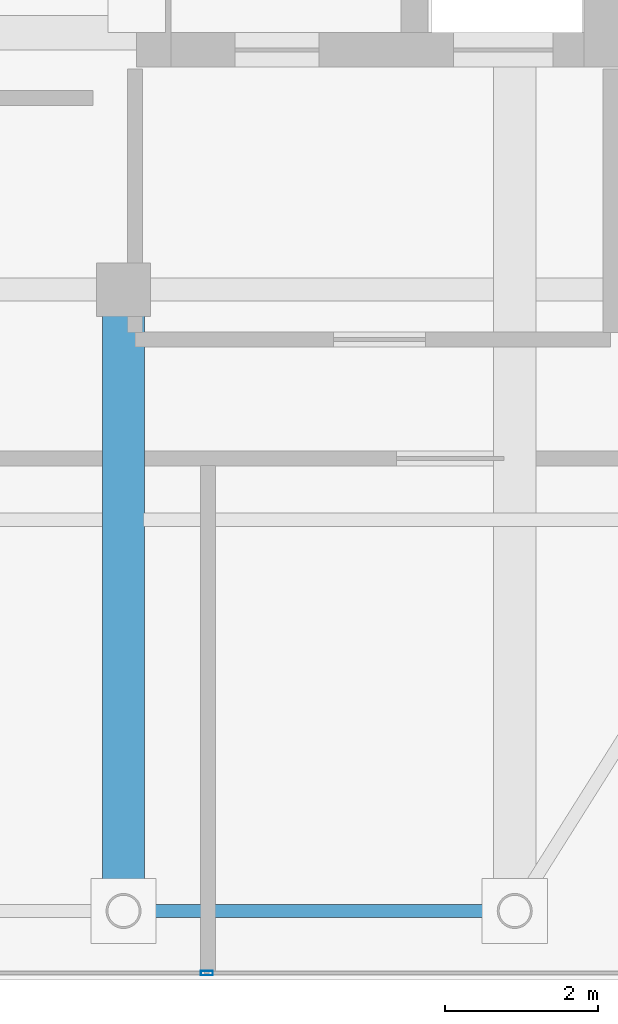
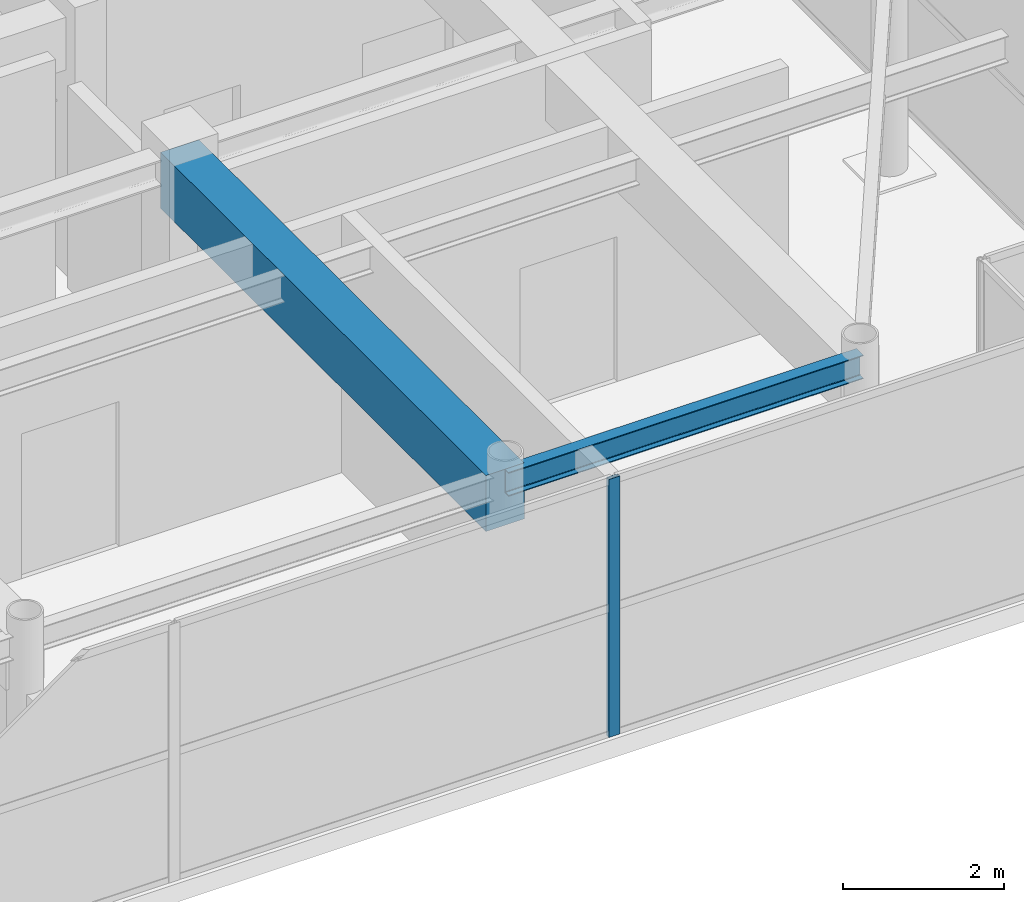
# One storey, part 9 of 32: 2 beams, 1 member, 1 element without a shape of its own.
"""IFC4 building model written with IfcOpenShell, lengths in metres."""

from ifc_helpers import new_model, si_unit, direction, frame, origin, origin_2d, place, context, subcontext, project, spatial, rectangle, hollow_rectangle, i_section, extrude, source, transform, mapped, material, layer, layer_set, material_profile, profile_set, type_object, element, aggregate, save


model = new_model("IFC4")

# Units and contexts
model_context = context("Model", 3, precision=1e-05, world=origin(), true_north=direction((0.0, 1.0)))
body_context = subcontext(model_context, "Body", "Model", "MODEL_VIEW")
ifc_project = project(units=[si_unit("LENGTHUNIT", "METRE"), si_unit("AREAUNIT", "SQUARE_METRE"), si_unit("VOLUMEUNIT", "CUBIC_METRE"), si_unit("PLANEANGLEUNIT", "RADIAN"), si_unit("MASSUNIT", "GRAM", prefix="KILO")], contexts=[model_context])

# Site, building, storey
site_placement = place(None, origin())
site = spatial("IfcSite", under=ifc_project, at=site_placement, CompositionType="ELEMENT")
building_placement = place(site_placement, origin())
building = spatial("IfcBuilding", under=site, at=building_placement, Name="Khoralis Quay Care Tower", CompositionType="ELEMENT")
storey_placement = place(building_placement, frame((0.0, 0.0, 293.699951171875)))
storey = spatial("IfcBuildingStorey", under=building, at=storey_placement, Name="L77", CompositionType="ELEMENT", Elevation=293.699951171875)

# Beams
ifc_material_1 = material(Name="Steel S355", Category="steel")
ifc_material_profile_1 = material_profile(ifc_material_1, i_section(OverallWidth=0.169921875, OverallDepth=0.360107421875, WebThickness=0.008056640625, FlangeThickness=0.0126953125, FilletRadius=0.01806640625, at=origin_2d()), Name="Steel S355")
ifc_profile_set_1 = profile_set([ifc_material_profile_1], Name="Steel S355")
beam_type_1 = type_object("IfcBeamType", Name="BM-IPE360", PredefinedType="SPANDREL", material=ifc_profile_set_1)
shared_shape_1 = source(origin(), body_context, "Body", "SweptSolid", [
    extrude(i_section(OverallWidth=0.169921875, OverallDepth=0.360107421875, WebThickness=0.008056640625, FlangeThickness=0.0126953125, FilletRadius=0.01806640625, at=origin_2d()), origin(), (0.0, 0.0, 1.0), 5.10009765625),
])
beam_1_placement = place(storey_placement, frame((30.89990234375, 3.89990234375, 3.739990234375), z_axis=(1.0, 0.0, 0.0), x_axis=(0.0, 1.0, 0.0)))
element("IfcBeam", 1, at=beam_1_placement, inside=storey, type_object=beam_type_1, Name="BM-TSP-L77-04", PredefinedType="SPANDREL", context=body_context, shape_type="MappedRepresentation", body=[
    mapped(shared_shape_1, transform((0.0, 0.0, 0.0), scale=1.0)),
])
ifc_material_2 = material(Name="Concrete C50/60", Category="concrete")
ifc_material_profile_2 = material_profile(ifc_material_2, rectangle(XDim=0.550048828125, YDim=0.85009765625, at=origin_2d()), Name="Concrete C50/60")
ifc_profile_set_2 = profile_set([ifc_material_profile_2], Name="Concrete C50/60")
beam_type_2 = type_object("IfcBeamType", Name="BM-RC550X850", PredefinedType="BEAM", material=ifc_profile_set_2)
shared_shape_2 = source(origin(), body_context, "Body", "SweptSolid", [
    extrude(rectangle(XDim=0.550048828125, YDim=0.85009765625, at=origin_2d()), origin(), (0.0, 0.0, 1.0), 8.10009765625),
])
beam_2_placement = place(storey_placement, frame((30.89990234375, 3.89990234375, 3.4951171875), z_axis=(0.0, 1.0, 0.0), x_axis=(-1.0, 0.0, 0.0)))
element("IfcBeam", 2, at=beam_2_placement, inside=storey, type_object=beam_type_2, Name="BM-TGYS-L77-309", PredefinedType="BEAM", context=body_context, shape_type="MappedRepresentation", body=[
    mapped(shared_shape_2, transform((0.0, 0.0, 0.0), scale=1.0)),
])

# Curtain wall, member
ifc_material_3 = material(Name="Pale anodised aluminium", Category="aluminium")
ifc_layer = layer(ifc_material_3, 0.199951171875)
ifc_layer_set = layer_set([ifc_layer], Name="Pale anodised aluminium")
curtain_wall_type = type_object("IfcCurtainWallType", Name="CW-SYS-LANTERN", PredefinedType="NOTDEFINED", material=ifc_layer_set)
curtain_wall_placement = place(storey_placement, origin())
curtain_wall = element("IfcCurtainWall", 3, at=curtain_wall_placement, inside=storey, type_object=curtain_wall_type, Name="L77 Unitised Curtain Wall CW-LN-L77-01", PredefinedType="NOTDEFINED")
ifc_material_profile_3 = material_profile(ifc_material_3, hollow_rectangle(XDim=0.06005859375, YDim=0.159912109375, WallThickness=0.00390625, at=origin_2d()), Name="Pale anodised aluminium")
ifc_profile_set_3 = profile_set([ifc_material_profile_3], Name="Pale anodised aluminium")
member_type = type_object("IfcMemberType", Name="CW-MUL-160", PredefinedType="MULLION", material=ifc_profile_set_3)
shared_shape_3 = source(origin(), body_context, "Body", "SweptSolid", [
    extrude(hollow_rectangle(XDim=0.06005859375, YDim=0.159912109375, WallThickness=0.00390625, at=origin_2d()), origin(), (0.0, 0.0, 1.0), 3.920166015625),
])
member_placement = place(storey_placement, frame((31.986083984375, 3.090087890625, 0.0), z_axis=(0.0, 0.0, 1.0), x_axis=(0.0, 1.0, 0.0)))
member = element("IfcMember", 4, at=member_placement, type_object=member_type, Name="CW5 mullion 5", PredefinedType="MULLION", context=body_context, shape_type="MappedRepresentation", body=[
    mapped(shared_shape_3, transform((0.0, 0.0, 0.0), scale=1.0)),
])
aggregate(curtain_wall, [member])

save(model, "model.ifc")
